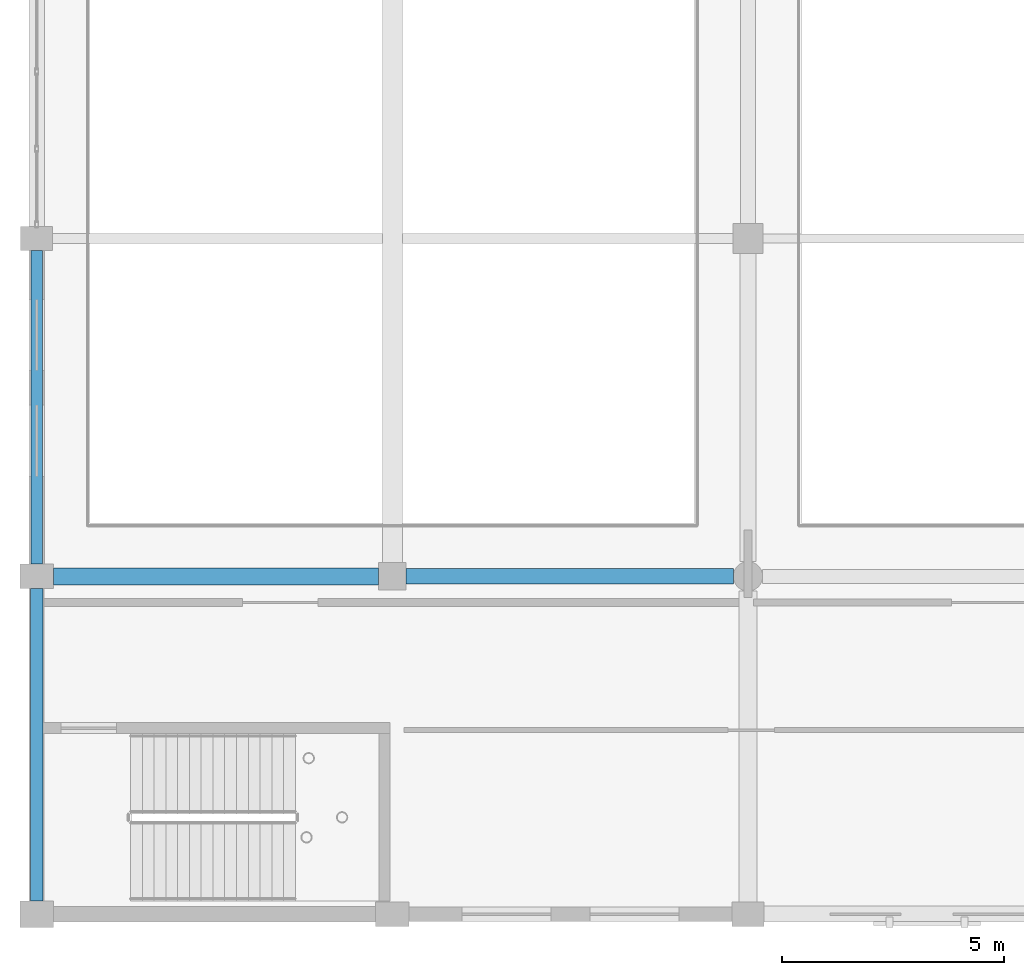
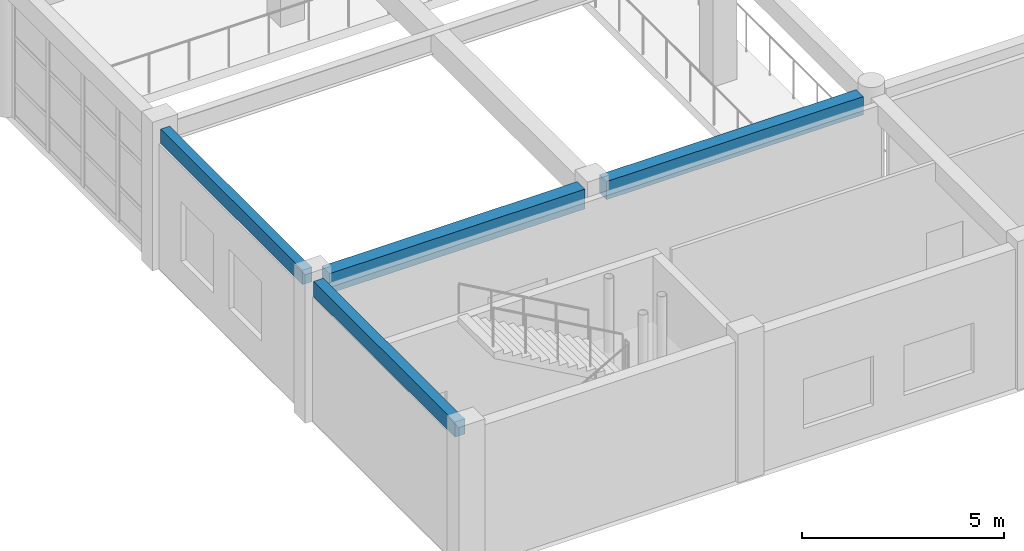
# One storey, part 37 of 160: 4 beams.
"""IFC4 building model written with IfcOpenShell, lengths in metres."""

from ifc_helpers import new_model, si_unit, direction, frame, origin, origin_2d, place, context, subcontext, project, spatial, rectangle, extrude, material, material_profile, profile_set, type_object, element, save


model = new_model("IFC4")

# Units and contexts
model_context = context("Model", 3, precision=1e-05, world=origin(), true_north=direction((0.0, 1.0)))
body_context = subcontext(model_context, "Body", "Model", "MODEL_VIEW")
ifc_project = project(units=[si_unit("LENGTHUNIT", "METRE"), si_unit("AREAUNIT", "SQUARE_METRE"), si_unit("VOLUMEUNIT", "CUBIC_METRE"), si_unit("PLANEANGLEUNIT", "RADIAN"), si_unit("MASSUNIT", "GRAM", prefix="KILO")], contexts=[model_context])

# Site, building, storey
site_placement = place(None, origin())
site = spatial("IfcSite", under=ifc_project, at=site_placement, CompositionType="ELEMENT")
building_placement = place(site_placement, origin())
building = spatial("IfcBuilding", under=site, at=building_placement, Name="Kharva Crest Polytechnic", CompositionType="ELEMENT")
storey_placement = place(building_placement, frame((0.0, 0.0, 4.5)))
storey = spatial("IfcBuildingStorey", under=building, at=storey_placement, Name="L01", CompositionType="ELEMENT", Elevation=4.5)

# Beams
ifc_material = material(Name="Concrete C35/45", Category="concrete")
ifc_material_profile_1 = material_profile(ifc_material, rectangle(XDim=0.35009765625, YDim=0.550048828125, at=origin_2d()), Name="RECT 350 X 550")
ifc_profile_set_1 = profile_set([ifc_material_profile_1], Name="Concrete C35/45")
beam_type_1 = type_object("IfcBeamType", Name="BM-RC-350X550", PredefinedType="BEAM", material=ifc_profile_set_1)
beam_1_placement = place(storey_placement, frame((8.31005859375, 7.60009765625, 3.945068359375), z_axis=(1.0, 0.0, 0.0), x_axis=(0.0, 1.0, 0.0)))
element("IfcBeam", 1, at=beam_1_placement, inside=storey, type_object=beam_type_1, Name="L01 Beam B/2-3", PredefinedType="BEAM", context=body_context, shape_type="SweptSolid", body=[
    extrude(rectangle(XDim=0.35009765625, YDim=0.550048828125, at=origin_2d()), origin(), (0.0, 0.0, 1.0), 7.35986328125),
])
ifc_material_profile_2 = material_profile(ifc_material, rectangle(XDim=0.3798828125, YDim=0.60009765625, at=origin_2d()), Name="RECT 380 X 600")
ifc_profile_set_2 = profile_set([ifc_material_profile_2], Name="Concrete C35/45")
beam_type_2 = type_object("IfcBeamType", Name="BM-RC-380X600", PredefinedType="BEAM", material=ifc_profile_set_2)
beam_2_placement = place(storey_placement, frame((0.375, 7.60009765625, 3.919921875), z_axis=(1.0, 0.0, 0.0), x_axis=(0.0, 1.0, 0.0)))
element("IfcBeam", 2, at=beam_2_placement, inside=storey, type_object=beam_type_2, Name="L01 Beam B/1-2", PredefinedType="BEAM", context=body_context, shape_type="SweptSolid", body=[
    extrude(rectangle(XDim=0.3798828125, YDim=0.60009765625, at=origin_2d()), origin(), (0.0, 0.0, 1.0), 7.31494140625),
])
ifc_material_profile_3 = material_profile(ifc_material, rectangle(XDim=0.260009765625, YDim=0.43994140625, at=origin_2d()), Name="RECT 260 X 440")
ifc_profile_set_3 = profile_set([ifc_material_profile_3], Name="Concrete C35/45")
beam_type_3 = type_object("IfcBeamType", Name="SP-RC-260X440", PredefinedType="SPANDREL", material=ifc_profile_set_3)
beam_3_placement = place(storey_placement, frame((0.0, 7.875, 4.0), z_axis=(0.0, 1.0, 0.0), x_axis=(-1.0, 0.0, 0.0)))
element("IfcBeam", 3, at=beam_3_placement, inside=storey, type_object=beam_type_3, Name="L01 Girder 1/B-C", PredefinedType="SPANDREL", context=body_context, shape_type="SweptSolid", body=[
    extrude(rectangle(XDim=0.260009765625, YDim=0.43994140625, at=origin_2d()), origin(), (0.0, 0.0, 1.0), 7.050048828125),
])
ifc_material_profile_4 = material_profile(ifc_material, rectangle(XDim=0.280029296875, YDim=0.4599609375, at=origin_2d()), Name="RECT 280 X 460")
ifc_profile_set_4 = profile_set([ifc_material_profile_4], Name="Concrete C35/45")
beam_type_4 = type_object("IfcBeamType", Name="SP-RC-280X460", PredefinedType="SPANDREL", material=ifc_profile_set_4)
beam_4_placement = place(storey_placement, frame((0.0, 0.300048828125, 3.989990234375), z_axis=(0.0, 1.0, 0.0), x_axis=(-1.0, 0.0, 0.0)))
element("IfcBeam", 4, at=beam_4_placement, inside=storey, type_object=beam_type_4, Name="L01 Girder 1/A-B", PredefinedType="SPANDREL", context=body_context, shape_type="SweptSolid", body=[
    extrude(rectangle(XDim=0.280029296875, YDim=0.4599609375, at=origin_2d()), origin(), (0.0, 0.0, 1.0), 7.02490234375),
])

save(model, "model.ifc")
